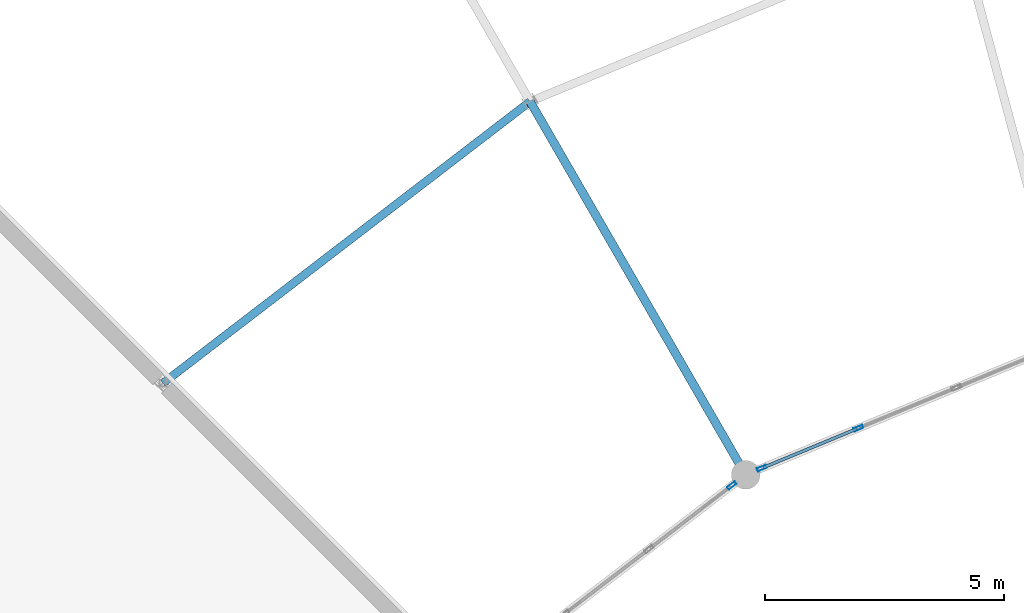
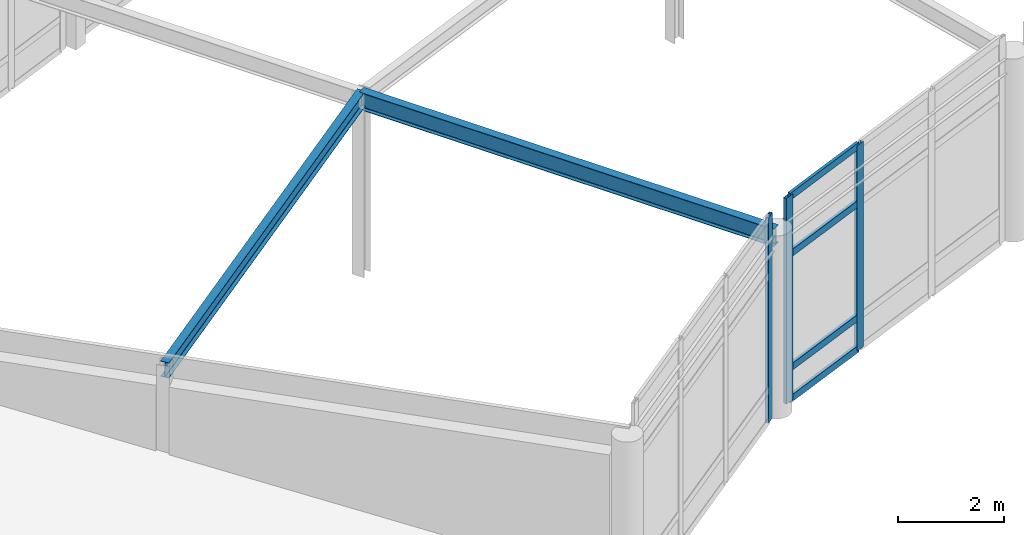
# One storey, part 44 of 93: 7 members, 2 beams, 2 elements without a shape of their own.
"""IFC4 building model written with IfcOpenShell, lengths in metres."""

from ifc_helpers import new_model, si_unit, direction, frame, origin, origin_2d, place, context, subcontext, project, spatial, hollow_rectangle, i_section, extrude, material, material_profile, profile_set, type_object, element, aggregate, save


model = new_model("IFC4")

# Units and contexts
model_context = context("Model", 3, precision=1e-05, world=origin(), true_north=direction((0.0, 1.0)))
body_context = subcontext(model_context, "Body", "Model", "MODEL_VIEW")
ifc_project = project(units=[si_unit("LENGTHUNIT", "METRE"), si_unit("AREAUNIT", "SQUARE_METRE"), si_unit("VOLUMEUNIT", "CUBIC_METRE"), si_unit("PLANEANGLEUNIT", "RADIAN"), si_unit("MASSUNIT", "GRAM", prefix="KILO")], contexts=[model_context])

# Site, building, storey
site_placement = place(None, origin())
site = spatial("IfcSite", under=ifc_project, at=site_placement, CompositionType="ELEMENT")
building_placement = place(site_placement, origin())
building = spatial("IfcBuilding", under=site, at=building_placement, Name="Vondelvale Polytechnic", CompositionType="ELEMENT")
storey_placement = place(building_placement, frame((0.0, 0.0, 18.0)))
storey = spatial("IfcBuildingStorey", under=building, at=storey_placement, Name="L04", CompositionType="ELEMENT", Elevation=18.0)

# Beams
ifc_material_1 = material(Name="Steel 300PLUS (fy = 300 MPa)", Category="steel")
ifc_material_profile_1 = material_profile(ifc_material_1, i_section(OverallWidth=0.1708984375, OverallDepth=0.35205078125, WebThickness=0.0068359375, FlangeThickness=0.009765625, FilletRadius=0.011474609375, at=origin_2d()), Name="360UB44.7")
ifc_profile_set_1 = profile_set([ifc_material_profile_1], Name="Steel 300PLUS (fy = 300 MPa)")
beam_type_1 = type_object("IfcBeamType", Name="BM-UB360L", PredefinedType="BEAM", material=ifc_profile_set_1)
beam_1_placement = place(storey_placement, frame((83.5, 104.04296875, 4.02392578125), z_axis=(-0.793363832402, -0.60874775518, 0.0), x_axis=(0.60874775518, -0.793363832402, 0.0)))
element("IfcBeam", 1, at=beam_1_placement, inside=storey, type_object=beam_type_1, Name="L04 RE B-24", PredefinedType="BEAM", context=body_context, shape_type="SweptSolid", body=[
    extrude(i_section(OverallWidth=0.1708984375, OverallDepth=0.35205078125, WebThickness=0.0068359375, FlangeThickness=0.009765625, FilletRadius=0.011474609375, at=origin_2d()), origin(), (0.0, 0.0, 1.0), 9.658935546875),
])
ifc_material_profile_2 = material_profile(ifc_material_1, i_section(OverallWidth=0.177978515625, OverallDepth=0.403076171875, WebThickness=0.007568359375, FlangeThickness=0.010986328125, FilletRadius=0.011474609375, at=origin_2d()), Name="410UB53.7")
ifc_profile_set_2 = profile_set([ifc_material_profile_2], Name="Steel 300PLUS (fy = 300 MPa)")
beam_type_2 = type_object("IfcBeamType", Name="BM-UB410L", PredefinedType="BEAM", material=ifc_profile_set_2)
beam_2_placement = place(storey_placement, frame((88.0, 96.248779296875, 3.99853515625), z_axis=(-0.5000018851, 0.866024315419, 0.0), x_axis=(-0.866024315419, -0.5000018851, 0.0)))
element("IfcBeam", 2, at=beam_2_placement, inside=storey, type_object=beam_type_2, Name="L04 REG B-23", PredefinedType="BEAM", context=body_context, shape_type="SweptSolid", body=[
    extrude(i_section(OverallWidth=0.177978515625, OverallDepth=0.403076171875, WebThickness=0.007568359375, FlangeThickness=0.010986328125, FilletRadius=0.011474609375, at=origin_2d()), origin(), (0.0, 0.0, 1.0), 9.0),
])

# Curtain wall, members
ifc_material_2 = material(Name="Anodised extruded aluminium 6063-T6", Category="aluminium")
curtain_wall_type = type_object("IfcCurtainWallType", Name="CW-RING-CLOISTER", PredefinedType="NOTDEFINED", material=ifc_material_2)
curtain_wall_1_placement = place(storey_placement, origin())
curtain_wall_1 = element("IfcCurtainWall", 3, at=curtain_wall_1_placement, inside=storey, type_object=curtain_wall_type, Name="L04 architectural curtain wall CW-03-187", PredefinedType="NOTDEFINED")
ifc_material_profile_3 = material_profile(ifc_material_2, hollow_rectangle(XDim=0.070068359375, YDim=0.199951171875, WallThickness=0.00390625, at=origin_2d()), Name="CW-MUL-200x70")
ifc_profile_set_3 = profile_set([ifc_material_profile_3], Name="Anodised extruded aluminium 6063-T6")
member_type_1 = type_object("IfcMemberType", Name="CW-MUL-70x200", PredefinedType="MULLION", material=ifc_profile_set_3)
member_1_placement = place(storey_placement, frame((90.352783203125, 97.22314453125, 0.0), z_axis=(0.0, 0.0, 1.0), x_axis=(0.382678531697, -0.923881562419, 0.0)))
member_1 = element("IfcMember", 4, at=member_1_placement, type_object=member_type_1, Name="CW-03-187 mullion 3", PredefinedType="MULLION", context=body_context, shape_type="SweptSolid", body=[
    extrude(hollow_rectangle(XDim=0.070068359375, YDim=0.199951171875, WallThickness=0.00390625, at=origin_2d()), origin(), (0.0, 0.0, 1.0), 4.713134765625),
])
member_2_placement = place(storey_placement, frame((88.337158203125, 96.388427734375, 0.0), z_axis=(0.0, 0.0, 1.0), x_axis=(0.382678531697, -0.923881562419, 0.0)))
member_2 = element("IfcMember", 5, at=member_2_placement, type_object=member_type_1, Name="CW-03-187 mullion 4", PredefinedType="MULLION", context=body_context, shape_type="SweptSolid", body=[
    extrude(hollow_rectangle(XDim=0.070068359375, YDim=0.199951171875, WallThickness=0.00390625, at=origin_2d()), origin(), (0.0, 0.0, 1.0), 4.713134765625),
])

# Curtain wall, member
curtain_wall_2_placement = place(storey_placement, origin())
curtain_wall_2 = element("IfcCurtainWall", 6, at=curtain_wall_2_placement, inside=storey, type_object=curtain_wall_type, Name="L04 architectural curtain wall CW-03-206", PredefinedType="NOTDEFINED")
member_3_placement = place(storey_placement, frame((87.71142578125, 96.02734375, 0.0), z_axis=(0.0, 0.0, 1.0), x_axis=(0.608747717793, -0.793363861089, 0.0)))
member_3 = element("IfcMember", 7, at=member_3_placement, type_object=member_type_1, Name="CW-03-206 mullion 1", PredefinedType="MULLION", context=body_context, shape_type="SweptSolid", body=[
    extrude(hollow_rectangle(XDim=0.070068359375, YDim=0.199951171875, WallThickness=0.00390625, at=origin_2d()), origin(), (0.0, 0.0, 1.0), 4.713134765625),
])
aggregate(curtain_wall_2, [member_3])

# Member
ifc_material_profile_4 = material_profile(ifc_material_2, hollow_rectangle(XDim=0.06494140625, YDim=0.159912109375, WallThickness=0.00341796875, at=origin_2d()), Name="CW-TRN-160x65")
ifc_profile_set_4 = profile_set([ifc_material_profile_4], Name="Anodised extruded aluminium 6063-T6")
member_type_2 = type_object("IfcMemberType", Name="CW-TRN-70x160", PredefinedType="USERDEFINED", material=ifc_profile_set_4)
member_4_placement = place(storey_placement, frame((90.3203125, 97.209716796875, 0.032470703125), z_axis=(-0.923902685011, -0.382627532503, 0.0), x_axis=(0.382627532503, -0.923902685011, 0.0)))
member_4 = element("IfcMember", 8, at=member_4_placement, type_object=member_type_2, Name="CW-03-187 transom 3.1", ObjectType="TRANSOM", PredefinedType="USERDEFINED", context=body_context, shape_type="SweptSolid", body=[
    extrude(hollow_rectangle(XDim=0.06494140625, YDim=0.159912109375, WallThickness=0.00341796875, at=origin_2d()), origin(), (0.0, 0.0, 1.0), 2.111328125),
])

member_5_placement = place(storey_placement, frame((90.3203125, 97.209716796875, 0.75), z_axis=(-0.923902685011, -0.382627532503, 0.0), x_axis=(0.382627532503, -0.923902685011, 0.0)))
member_5 = element("IfcMember", 9, at=member_5_placement, type_object=member_type_2, Name="CW-03-187 transom 3.2", ObjectType="TRANSOM", PredefinedType="USERDEFINED", context=body_context, shape_type="SweptSolid", body=[
    extrude(hollow_rectangle(XDim=0.06494140625, YDim=0.159912109375, WallThickness=0.00341796875, at=origin_2d()), origin(), (0.0, 0.0, 1.0), 2.111328125),
])

member_6_placement = place(storey_placement, frame((90.3203125, 97.209716796875, 3.36328125), z_axis=(-0.923902685011, -0.382627532503, 0.0), x_axis=(0.382627532503, -0.923902685011, 0.0)))
member_6 = element("IfcMember", 10, at=member_6_placement, type_object=member_type_2, Name="CW-03-187 transom 3.3", ObjectType="TRANSOM", PredefinedType="USERDEFINED", context=body_context, shape_type="SweptSolid", body=[
    extrude(hollow_rectangle(XDim=0.06494140625, YDim=0.159912109375, WallThickness=0.00341796875, at=origin_2d()), origin(), (0.0, 0.0, 1.0), 2.111328125),
])

member_7_placement = place(storey_placement, frame((90.3203125, 97.209716796875, 4.6806640625), z_axis=(-0.923902685011, -0.382627532503, 0.0), x_axis=(0.382627532503, -0.923902685011, 0.0)))
member_7 = element("IfcMember", 11, at=member_7_placement, type_object=member_type_2, Name="CW-03-187 transom 3.4", ObjectType="TRANSOM", PredefinedType="USERDEFINED", context=body_context, shape_type="SweptSolid", body=[
    extrude(hollow_rectangle(XDim=0.06494140625, YDim=0.159912109375, WallThickness=0.00341796875, at=origin_2d()), origin(), (0.0, 0.0, 1.0), 2.111328125),
])

aggregate(curtain_wall_1, [member_1, member_2, member_4, member_5, member_6, member_7])

save(model, "model.ifc")
